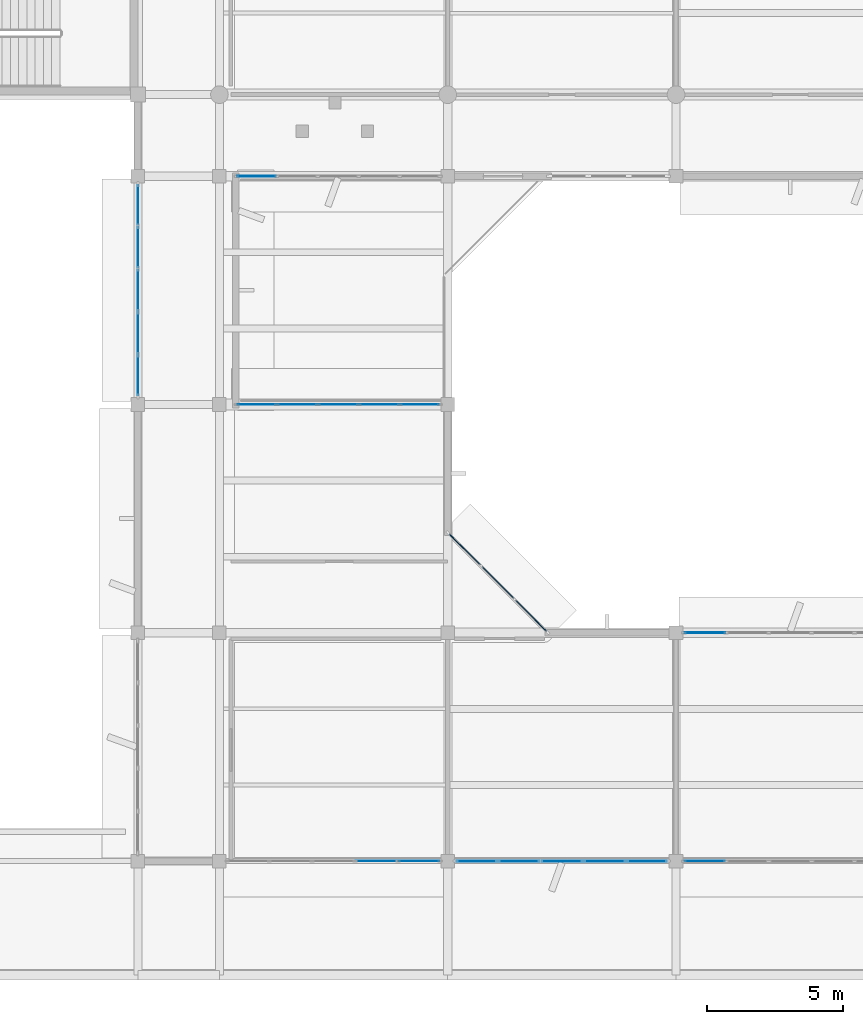
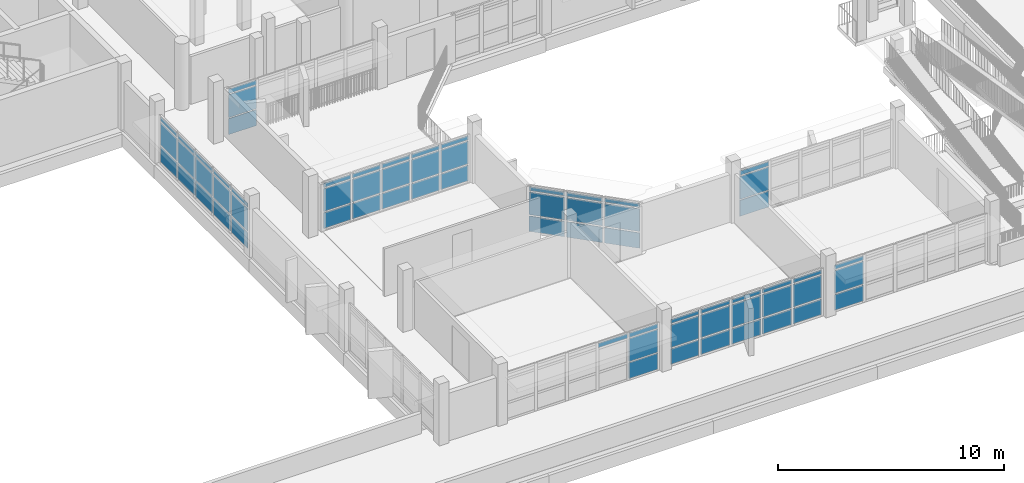
# One storey, part 48 of 92: 67 plates, 8 elements without a shape of their own.
"""IFC4 building model written with IfcOpenShell, lengths in metres."""

from ifc_helpers import new_model, si_unit, direction, frame, origin, origin_2d, place, context, subcontext, project, spatial, rectangle, extrude, material, layer, layer_set, type_object, element, aggregate, save


model = new_model("IFC4")

# Units and contexts
model_context = context("Model", 3, precision=1e-05, world=origin(), true_north=direction((0.0, 1.0)))
body_context = subcontext(model_context, "Body", "Model", "MODEL_VIEW")
ifc_project = project(units=[si_unit("LENGTHUNIT", "METRE"), si_unit("AREAUNIT", "SQUARE_METRE"), si_unit("VOLUMEUNIT", "CUBIC_METRE"), si_unit("PLANEANGLEUNIT", "RADIAN"), si_unit("MASSUNIT", "GRAM", prefix="KILO")], contexts=[model_context])

# Site, building, storey
site_placement = place(None, origin())
site = spatial("IfcSite", under=ifc_project, at=site_placement, CompositionType="ELEMENT")
building_placement = place(site_placement, origin())
building = spatial("IfcBuilding", under=site, at=building_placement, Name="Vanh Quang Courtyard School", CompositionType="ELEMENT")
storey_placement = place(building_placement, frame((0.0, 0.0, 7.800048828125)))
storey = spatial("IfcBuildingStorey", under=building, at=storey_placement, Name="L02", CompositionType="ELEMENT", Elevation=7.800048828125)

# Curtain wall, plates
ifc_material_1 = material(Name="Thermally broken aluminium unitised curtain wall", Category="aluminium")
curtain_wall_type_1 = type_object("IfcCurtainWallType", Name="CW-SYS-47", PredefinedType="NOTDEFINED", material=ifc_material_1)
curtain_wall_1_placement = place(storey_placement, origin())
curtain_wall_1 = element("IfcCurtainWall", 1, at=curtain_wall_1_placement, inside=storey, type_object=curtain_wall_type_1, Name="Curtain Wall CW-47 (L02)", PredefinedType="NOTDEFINED")
ifc_material_2 = material(Name="Low-E laminated double glazing", Category="glass")
ifc_layer_1 = layer(ifc_material_2, 0.028076171875)
ifc_layer_set_1 = layer_set([ifc_layer_1], Name="Low-E laminated double glazing")
plate_type_1 = type_object("IfcPlateType", Name="CW-PNL-28", PredefinedType="CURTAIN_PANEL", material=ifc_layer_set_1)
plate_1_placement = place(storey_placement, frame((78.769287109375, 29.39990234375, 0.06005859375), z_axis=(0.0, 0.0, 1.0), x_axis=(-1.0, 0.0, 0.0)))
plate_1 = element("IfcPlate", 2, at=plate_1_placement, type_object=plate_type_1, Name="CW-47 panel 5.1", PredefinedType="CURTAIN_PANEL", context=body_context, shape_type="SweptSolid", body=[
    extrude(rectangle(XDim=1.41845703125, YDim=0.028076171875, at=origin_2d()), origin(), (0.0, 0.0, 1.0), 0.860107421875),
])
plate_2_placement = place(storey_placement, frame((78.769287109375, 29.39990234375, 0.97998046875), z_axis=(0.0, 0.0, 1.0), x_axis=(-1.0, 0.0, 0.0)))
plate_2 = element("IfcPlate", 3, at=plate_2_placement, type_object=plate_type_1, Name="CW-47 panel 5.2", PredefinedType="CURTAIN_PANEL", context=body_context, shape_type="SweptSolid", body=[
    extrude(rectangle(XDim=1.41845703125, YDim=0.028076171875, at=origin_2d()), origin(), (0.0, 0.0, 1.0), 1.239990234375),
])
plate_3_placement = place(storey_placement, frame((78.769287109375, 29.39990234375, 2.27978515625), z_axis=(0.0, 0.0, 1.0), x_axis=(-1.0, 0.0, 0.0)))
plate_3 = element("IfcPlate", 4, at=plate_3_placement, type_object=plate_type_1, Name="CW-47 panel 5.3", PredefinedType="CURTAIN_PANEL", context=body_context, shape_type="SweptSolid", body=[
    extrude(rectangle(XDim=1.41845703125, YDim=0.028076171875, at=origin_2d()), origin(), (0.0, 0.0, 1.0), 0.239990234375),
])
aggregate(curtain_wall_1, [plate_1, plate_2, plate_3])

curtain_wall_type_2 = type_object("IfcCurtainWallType", Name="CW-SYS-37", PredefinedType="NOTDEFINED", material=ifc_material_1)
curtain_wall_2_placement = place(storey_placement, origin())
curtain_wall_2 = element("IfcCurtainWall", 5, at=curtain_wall_2_placement, inside=storey, type_object=curtain_wall_type_2, Name="Curtain Wall CW-37 (L02)", PredefinedType="NOTDEFINED")
plate_4_placement = place(storey_placement, frame((86.43017578125, 15.665771484375, 0.079833984375), z_axis=(0.0, 0.0, 1.0), x_axis=(0.707106781187, -0.707106781187, 0.0)))
plate_4 = element("IfcPlate", 6, at=plate_4_placement, type_object=plate_type_1, Name="CW-37 panel 1.1", PredefinedType="CURTAIN_PANEL", context=body_context, shape_type="SweptSolid", body=[
    extrude(rectangle(XDim=1.622314453125, YDim=0.028076171875, at=origin_2d()), origin(), (0.0, 0.0, 1.0), 0.830078125),
])
plate_5_placement = place(storey_placement, frame((86.43017578125, 15.665771484375, 0.98974609375), z_axis=(0.0, 0.0, 1.0), x_axis=(0.707106781187, -0.707106781187, 0.0)))
plate_5 = element("IfcPlate", 7, at=plate_5_placement, type_object=plate_type_1, Name="CW-37 panel 1.2", PredefinedType="CURTAIN_PANEL", context=body_context, shape_type="SweptSolid", body=[
    extrude(rectangle(XDim=1.622314453125, YDim=0.028076171875, at=origin_2d()), origin(), (0.0, 0.0, 1.0), 1.219970703125),
])
plate_6_placement = place(storey_placement, frame((86.43017578125, 15.665771484375, 2.2900390625), z_axis=(0.0, 0.0, 1.0), x_axis=(0.707106781187, -0.707106781187, 0.0)))
plate_6 = element("IfcPlate", 8, at=plate_6_placement, type_object=plate_type_1, Name="CW-37 panel 1.3", PredefinedType="CURTAIN_PANEL", context=body_context, shape_type="SweptSolid", body=[
    extrude(rectangle(XDim=1.622314453125, YDim=0.028076171875, at=origin_2d()), origin(), (0.0, 0.0, 1.0), 0.2099609375),
])
plate_7_placement = place(storey_placement, frame((87.64794921875, 14.447998046875, 0.079833984375), z_axis=(0.0, 0.0, 1.0), x_axis=(0.707106781187, -0.707106781187, 0.0)))
plate_7 = element("IfcPlate", 9, at=plate_7_placement, type_object=plate_type_1, Name="CW-37 panel 2.1", PredefinedType="CURTAIN_PANEL", context=body_context, shape_type="SweptSolid", body=[
    extrude(rectangle(XDim=1.662353515625, YDim=0.028076171875, at=origin_2d()), origin(), (0.0, 0.0, 1.0), 0.830078125),
])
plate_8_placement = place(storey_placement, frame((87.64794921875, 14.447998046875, 0.98974609375), z_axis=(0.0, 0.0, 1.0), x_axis=(0.707106781187, -0.707106781187, 0.0)))
plate_8 = element("IfcPlate", 10, at=plate_8_placement, type_object=plate_type_1, Name="CW-37 panel 2.2", PredefinedType="CURTAIN_PANEL", context=body_context, shape_type="SweptSolid", body=[
    extrude(rectangle(XDim=1.662353515625, YDim=0.028076171875, at=origin_2d()), origin(), (0.0, 0.0, 1.0), 1.219970703125),
])
plate_9_placement = place(storey_placement, frame((87.64794921875, 14.447998046875, 2.2900390625), z_axis=(0.0, 0.0, 1.0), x_axis=(0.707106781187, -0.707106781187, 0.0)))
plate_9 = element("IfcPlate", 11, at=plate_9_placement, type_object=plate_type_1, Name="CW-37 panel 2.3", PredefinedType="CURTAIN_PANEL", context=body_context, shape_type="SweptSolid", body=[
    extrude(rectangle(XDim=1.662353515625, YDim=0.028076171875, at=origin_2d()), origin(), (0.0, 0.0, 1.0), 0.2099609375),
])
plate_10_placement = place(storey_placement, frame((88.865966796875, 13.230224609375, 0.079833984375), z_axis=(0.0, 0.0, 1.0), x_axis=(0.707106781187, -0.707106781187, 0.0)))
plate_10 = element("IfcPlate", 12, at=plate_10_placement, type_object=plate_type_1, Name="CW-37 panel 3.1", PredefinedType="CURTAIN_PANEL", context=body_context, shape_type="SweptSolid", body=[
    extrude(rectangle(XDim=1.622314453125, YDim=0.028076171875, at=origin_2d()), origin(), (0.0, 0.0, 1.0), 0.830078125),
])
plate_11_placement = place(storey_placement, frame((88.865966796875, 13.230224609375, 0.98974609375), z_axis=(0.0, 0.0, 1.0), x_axis=(0.707106781187, -0.707106781187, 0.0)))
plate_11 = element("IfcPlate", 13, at=plate_11_placement, type_object=plate_type_1, Name="CW-37 panel 3.2", PredefinedType="CURTAIN_PANEL", context=body_context, shape_type="SweptSolid", body=[
    extrude(rectangle(XDim=1.622314453125, YDim=0.028076171875, at=origin_2d()), origin(), (0.0, 0.0, 1.0), 1.219970703125),
])
plate_12_placement = place(storey_placement, frame((88.865966796875, 13.230224609375, 2.2900390625), z_axis=(0.0, 0.0, 1.0), x_axis=(0.707106781187, -0.707106781187, 0.0)))
plate_12 = element("IfcPlate", 14, at=plate_12_placement, type_object=plate_type_1, Name="CW-37 panel 3.3", PredefinedType="CURTAIN_PANEL", context=body_context, shape_type="SweptSolid", body=[
    extrude(rectangle(XDim=1.622314453125, YDim=0.028076171875, at=origin_2d()), origin(), (0.0, 0.0, 1.0), 0.2099609375),
])
aggregate(curtain_wall_2, [plate_4, plate_5, plate_6, plate_7, plate_8, plate_9, plate_10, plate_11, plate_12])

curtain_wall_type_3 = type_object("IfcCurtainWallType", Name="CW-SYS-19", PredefinedType="NOTDEFINED", material=ifc_material_1)
curtain_wall_3_placement = place(storey_placement, origin())
curtain_wall_3 = element("IfcCurtainWall", 15, at=curtain_wall_3_placement, inside=storey, type_object=curtain_wall_type_3, Name="Curtain Wall CW-19 (L02)", PredefinedType="NOTDEFINED")
plate_13_placement = place(storey_placement, frame((95.263916015625, 4.199951171875, 0.06982421875), z_axis=(0.0, 0.0, 1.0), x_axis=(-1.0, 0.0, 0.0)))
plate_13 = element("IfcPlate", 16, at=plate_13_placement, type_object=plate_type_1, Name="CW-19 panel 5.1", PredefinedType="CURTAIN_PANEL", context=body_context, shape_type="SweptSolid", body=[
    extrude(rectangle(XDim=1.4716796875, YDim=0.028076171875, at=origin_2d()), origin(), (0.0, 0.0, 1.0), 0.844970703125),
])
plate_14_placement = place(storey_placement, frame((95.263916015625, 4.199951171875, 0.98486328125), z_axis=(0.0, 0.0, 1.0), x_axis=(-1.0, 0.0, 0.0)))
plate_14 = element("IfcPlate", 17, at=plate_14_placement, type_object=plate_type_1, Name="CW-19 panel 5.2", PredefinedType="CURTAIN_PANEL", context=body_context, shape_type="SweptSolid", body=[
    extrude(rectangle(XDim=1.4716796875, YDim=0.028076171875, at=origin_2d()), origin(), (0.0, 0.0, 1.0), 1.22998046875),
])
plate_15_placement = place(storey_placement, frame((95.263916015625, 4.199951171875, 2.284912109375), z_axis=(0.0, 0.0, 1.0), x_axis=(-1.0, 0.0, 0.0)))
plate_15 = element("IfcPlate", 18, at=plate_15_placement, type_object=plate_type_1, Name="CW-19 panel 5.3", PredefinedType="CURTAIN_PANEL", context=body_context, shape_type="SweptSolid", body=[
    extrude(rectangle(XDim=1.4716796875, YDim=0.028076171875, at=origin_2d()), origin(), (0.0, 0.0, 1.0), 0.22509765625),
])
aggregate(curtain_wall_3, [plate_13, plate_14, plate_15])

curtain_wall_4_placement = place(storey_placement, origin())
curtain_wall_4 = element("IfcCurtainWall", 19, at=curtain_wall_4_placement, inside=storey, type_object=curtain_wall_type_3, Name="Curtain Wall CW-19 (L02)", PredefinedType="NOTDEFINED")
plate_16_placement = place(storey_placement, frame((84.738525390625, 4.199951171875, 0.06005859375), z_axis=(0.0, 0.0, 1.0), x_axis=(-1.0, 0.0, 0.0)))
plate_16 = element("IfcPlate", 20, at=plate_16_placement, type_object=plate_type_1, Name="CW-19 panel 1.1", PredefinedType="CURTAIN_PANEL", context=body_context, shape_type="SweptSolid", body=[
    extrude(rectangle(XDim=1.48681640625, YDim=0.028076171875, at=origin_2d()), origin(), (0.0, 0.0, 1.0), 0.860107421875),
])
plate_17_placement = place(storey_placement, frame((84.738525390625, 4.199951171875, 0.97998046875), z_axis=(0.0, 0.0, 1.0), x_axis=(-1.0, 0.0, 0.0)))
plate_17 = element("IfcPlate", 21, at=plate_17_placement, type_object=plate_type_1, Name="CW-19 panel 1.2", PredefinedType="CURTAIN_PANEL", context=body_context, shape_type="SweptSolid", body=[
    extrude(rectangle(XDim=1.48681640625, YDim=0.028076171875, at=origin_2d()), origin(), (0.0, 0.0, 1.0), 1.239990234375),
])
plate_18_placement = place(storey_placement, frame((84.738525390625, 4.199951171875, 2.27978515625), z_axis=(0.0, 0.0, 1.0), x_axis=(-1.0, 0.0, 0.0)))
plate_18 = element("IfcPlate", 22, at=plate_18_placement, type_object=plate_type_1, Name="CW-19 panel 1.3", PredefinedType="CURTAIN_PANEL", context=body_context, shape_type="SweptSolid", body=[
    extrude(rectangle(XDim=1.48681640625, YDim=0.028076171875, at=origin_2d()), origin(), (0.0, 0.0, 1.0), 0.239990234375),
])
plate_19_placement = place(storey_placement, frame((83.1767578125, 4.199951171875, 2.27978515625), z_axis=(0.0, 0.0, 1.0), x_axis=(-1.0, 0.0, 0.0)))
plate_19 = element("IfcPlate", 23, at=plate_19_placement, type_object=plate_type_1, Name="CW-19 panel 2.3", PredefinedType="CURTAIN_PANEL", context=body_context, shape_type="SweptSolid", body=[
    extrude(rectangle(XDim=1.516845703125, YDim=0.028076171875, at=origin_2d()), origin(), (0.0, 0.0, 1.0), 0.239990234375),
])
aggregate(curtain_wall_4, [plate_16, plate_17, plate_18, plate_19])

curtain_wall_5_placement = place(storey_placement, origin())
curtain_wall_5 = element("IfcCurtainWall", 24, at=curtain_wall_5_placement, inside=storey, type_object=curtain_wall_type_3, Name="Curtain Wall CW-19 (L02)", PredefinedType="NOTDEFINED")
plate_20_placement = place(storey_placement, frame((74.39990234375, 22.06640625, 0.079833984375), z_axis=(0.0, 0.0, 1.0), x_axis=(0.0, 1.0, 0.0)))
plate_20 = element("IfcPlate", 25, at=plate_20_placement, type_object=plate_type_1, Name="CW-19 panel 1.1", PredefinedType="CURTAIN_PANEL", context=body_context, shape_type="SweptSolid", body=[
    extrude(rectangle(XDim=1.456787109375, YDim=0.028076171875, at=origin_2d()), origin(), (0.0, 0.0, 1.0), 0.830078125),
])
plate_21_placement = place(storey_placement, frame((74.39990234375, 22.06640625, 0.98974609375), z_axis=(0.0, 0.0, 1.0), x_axis=(0.0, 1.0, 0.0)))
plate_21 = element("IfcPlate", 26, at=plate_21_placement, type_object=plate_type_1, Name="CW-19 panel 1.2", PredefinedType="CURTAIN_PANEL", context=body_context, shape_type="SweptSolid", body=[
    extrude(rectangle(XDim=1.456787109375, YDim=0.028076171875, at=origin_2d()), origin(), (0.0, 0.0, 1.0), 1.219970703125),
])
plate_22_placement = place(storey_placement, frame((74.39990234375, 22.06640625, 2.2900390625), z_axis=(0.0, 0.0, 1.0), x_axis=(0.0, 1.0, 0.0)))
plate_22 = element("IfcPlate", 27, at=plate_22_placement, type_object=plate_type_1, Name="CW-19 panel 1.3", PredefinedType="CURTAIN_PANEL", context=body_context, shape_type="SweptSolid", body=[
    extrude(rectangle(XDim=1.456787109375, YDim=0.028076171875, at=origin_2d()), origin(), (0.0, 0.0, 1.0), 0.2099609375),
])
plate_23_placement = place(storey_placement, frame((74.39990234375, 23.623291015625, 0.079833984375), z_axis=(0.0, 0.0, 1.0), x_axis=(0.0, 1.0, 0.0)))
plate_23 = element("IfcPlate", 28, at=plate_23_placement, type_object=plate_type_1, Name="CW-19 panel 2.1", PredefinedType="CURTAIN_PANEL", context=body_context, shape_type="SweptSolid", body=[
    extrude(rectangle(XDim=1.496826171875, YDim=0.028076171875, at=origin_2d()), origin(), (0.0, 0.0, 1.0), 0.830078125),
])
plate_24_placement = place(storey_placement, frame((74.39990234375, 23.623291015625, 0.98974609375), z_axis=(0.0, 0.0, 1.0), x_axis=(0.0, 1.0, 0.0)))
plate_24 = element("IfcPlate", 29, at=plate_24_placement, type_object=plate_type_1, Name="CW-19 panel 2.2", PredefinedType="CURTAIN_PANEL", context=body_context, shape_type="SweptSolid", body=[
    extrude(rectangle(XDim=1.496826171875, YDim=0.028076171875, at=origin_2d()), origin(), (0.0, 0.0, 1.0), 1.219970703125),
])
plate_25_placement = place(storey_placement, frame((74.39990234375, 23.623291015625, 2.2900390625), z_axis=(0.0, 0.0, 1.0), x_axis=(0.0, 1.0, 0.0)))
plate_25 = element("IfcPlate", 30, at=plate_25_placement, type_object=plate_type_1, Name="CW-19 panel 2.3", PredefinedType="CURTAIN_PANEL", context=body_context, shape_type="SweptSolid", body=[
    extrude(rectangle(XDim=1.496826171875, YDim=0.028076171875, at=origin_2d()), origin(), (0.0, 0.0, 1.0), 0.2099609375),
])
plate_26_placement = place(storey_placement, frame((74.39990234375, 25.199951171875, 0.079833984375), z_axis=(0.0, 0.0, 1.0), x_axis=(0.0, 1.0, 0.0)))
plate_26 = element("IfcPlate", 31, at=plate_26_placement, type_object=plate_type_1, Name="CW-19 panel 3.1", PredefinedType="CURTAIN_PANEL", context=body_context, shape_type="SweptSolid", body=[
    extrude(rectangle(XDim=1.496826171875, YDim=0.028076171875, at=origin_2d()), origin(), (0.0, 0.0, 1.0), 0.830078125),
])
plate_27_placement = place(storey_placement, frame((74.39990234375, 25.199951171875, 0.98974609375), z_axis=(0.0, 0.0, 1.0), x_axis=(0.0, 1.0, 0.0)))
plate_27 = element("IfcPlate", 32, at=plate_27_placement, type_object=plate_type_1, Name="CW-19 panel 3.2", PredefinedType="CURTAIN_PANEL", context=body_context, shape_type="SweptSolid", body=[
    extrude(rectangle(XDim=1.496826171875, YDim=0.028076171875, at=origin_2d()), origin(), (0.0, 0.0, 1.0), 1.219970703125),
])
plate_28_placement = place(storey_placement, frame((74.39990234375, 25.199951171875, 2.2900390625), z_axis=(0.0, 0.0, 1.0), x_axis=(0.0, 1.0, 0.0)))
plate_28 = element("IfcPlate", 33, at=plate_28_placement, type_object=plate_type_1, Name="CW-19 panel 3.3", PredefinedType="CURTAIN_PANEL", context=body_context, shape_type="SweptSolid", body=[
    extrude(rectangle(XDim=1.496826171875, YDim=0.028076171875, at=origin_2d()), origin(), (0.0, 0.0, 1.0), 0.2099609375),
])
plate_29_placement = place(storey_placement, frame((74.39990234375, 26.77685546875, 0.079833984375), z_axis=(0.0, 0.0, 1.0), x_axis=(0.0, 1.0, 0.0)))
plate_29 = element("IfcPlate", 34, at=plate_29_placement, type_object=plate_type_1, Name="CW-19 panel 4.1", PredefinedType="CURTAIN_PANEL", context=body_context, shape_type="SweptSolid", body=[
    extrude(rectangle(XDim=1.496826171875, YDim=0.028076171875, at=origin_2d()), origin(), (0.0, 0.0, 1.0), 0.830078125),
])
plate_30_placement = place(storey_placement, frame((74.39990234375, 26.77685546875, 0.98974609375), z_axis=(0.0, 0.0, 1.0), x_axis=(0.0, 1.0, 0.0)))
plate_30 = element("IfcPlate", 35, at=plate_30_placement, type_object=plate_type_1, Name="CW-19 panel 4.2", PredefinedType="CURTAIN_PANEL", context=body_context, shape_type="SweptSolid", body=[
    extrude(rectangle(XDim=1.496826171875, YDim=0.028076171875, at=origin_2d()), origin(), (0.0, 0.0, 1.0), 1.219970703125),
])
plate_31_placement = place(storey_placement, frame((74.39990234375, 26.77685546875, 2.2900390625), z_axis=(0.0, 0.0, 1.0), x_axis=(0.0, 1.0, 0.0)))
plate_31 = element("IfcPlate", 36, at=plate_31_placement, type_object=plate_type_1, Name="CW-19 panel 4.3", PredefinedType="CURTAIN_PANEL", context=body_context, shape_type="SweptSolid", body=[
    extrude(rectangle(XDim=1.496826171875, YDim=0.028076171875, at=origin_2d()), origin(), (0.0, 0.0, 1.0), 0.2099609375),
])
plate_32_placement = place(storey_placement, frame((74.39990234375, 28.33349609375, 0.079833984375), z_axis=(0.0, 0.0, 1.0), x_axis=(0.0, 1.0, 0.0)))
plate_32 = element("IfcPlate", 37, at=plate_32_placement, type_object=plate_type_1, Name="CW-19 panel 5.1", PredefinedType="CURTAIN_PANEL", context=body_context, shape_type="SweptSolid", body=[
    extrude(rectangle(XDim=1.456787109375, YDim=0.028076171875, at=origin_2d()), origin(), (0.0, 0.0, 1.0), 0.830078125),
])
plate_33_placement = place(storey_placement, frame((74.39990234375, 28.33349609375, 0.98974609375), z_axis=(0.0, 0.0, 1.0), x_axis=(0.0, 1.0, 0.0)))
plate_33 = element("IfcPlate", 38, at=plate_33_placement, type_object=plate_type_1, Name="CW-19 panel 5.2", PredefinedType="CURTAIN_PANEL", context=body_context, shape_type="SweptSolid", body=[
    extrude(rectangle(XDim=1.456787109375, YDim=0.028076171875, at=origin_2d()), origin(), (0.0, 0.0, 1.0), 1.219970703125),
])
plate_34_placement = place(storey_placement, frame((74.39990234375, 28.33349609375, 2.2900390625), z_axis=(0.0, 0.0, 1.0), x_axis=(0.0, 1.0, 0.0)))
plate_34 = element("IfcPlate", 39, at=plate_34_placement, type_object=plate_type_1, Name="CW-19 panel 5.3", PredefinedType="CURTAIN_PANEL", context=body_context, shape_type="SweptSolid", body=[
    extrude(rectangle(XDim=1.456787109375, YDim=0.028076171875, at=origin_2d()), origin(), (0.0, 0.0, 1.0), 0.2099609375),
])
aggregate(curtain_wall_5, [plate_20, plate_21, plate_22, plate_23, plate_24, plate_25, plate_26, plate_27, plate_28, plate_29, plate_30, plate_31, plate_32, plate_33, plate_34])

curtain_wall_6_placement = place(storey_placement, origin())
curtain_wall_6 = element("IfcCurtainWall", 40, at=curtain_wall_6_placement, inside=storey, type_object=curtain_wall_type_1, Name="Curtain Wall CW-47 (L02)", PredefinedType="NOTDEFINED")
ifc_layer_2 = layer(ifc_material_2, 0.031982421875)
ifc_layer_set_2 = layer_set([ifc_layer_2], Name="Low-E laminated double glazing")
plate_type_2 = type_object("IfcPlateType", Name="CW-PNL-32", PredefinedType="CURTAIN_PANEL", material=ifc_layer_set_2)
plate_35_placement = place(storey_placement, frame((78.771728515625, 21.0, 0.06982421875), z_axis=(0.0, 0.0, 1.0), x_axis=(1.0, 0.0, 0.0)))
plate_35 = element("IfcPlate", 41, at=plate_35_placement, type_object=plate_type_2, Name="CW-47 panel 1.1", PredefinedType="CURTAIN_PANEL", context=body_context, shape_type="SweptSolid", body=[
    extrude(rectangle(XDim=1.4033203125, YDim=0.031982421875, at=origin_2d()), origin(), (0.0, 0.0, 1.0), 0.844970703125),
])
plate_36_placement = place(storey_placement, frame((78.771728515625, 21.0, 0.98486328125), z_axis=(0.0, 0.0, 1.0), x_axis=(1.0, 0.0, 0.0)))
plate_36 = element("IfcPlate", 42, at=plate_36_placement, type_object=plate_type_2, Name="CW-47 panel 1.2", PredefinedType="CURTAIN_PANEL", context=body_context, shape_type="SweptSolid", body=[
    extrude(rectangle(XDim=1.4033203125, YDim=0.031982421875, at=origin_2d()), origin(), (0.0, 0.0, 1.0), 1.22998046875),
])
plate_37_placement = place(storey_placement, frame((78.771728515625, 21.0, 2.284912109375), z_axis=(0.0, 0.0, 1.0), x_axis=(1.0, 0.0, 0.0)))
plate_37 = element("IfcPlate", 43, at=plate_37_placement, type_object=plate_type_2, Name="CW-47 panel 1.3", PredefinedType="CURTAIN_PANEL", context=body_context, shape_type="SweptSolid", body=[
    extrude(rectangle(XDim=1.4033203125, YDim=0.031982421875, at=origin_2d()), origin(), (0.0, 0.0, 1.0), 0.22509765625),
])
plate_38_placement = place(storey_placement, frame((80.2626953125, 21.0, 0.06982421875), z_axis=(0.0, 0.0, 1.0), x_axis=(1.0, 0.0, 0.0)))
plate_38 = element("IfcPlate", 44, at=plate_38_placement, type_object=plate_type_2, Name="CW-47 panel 2.1", PredefinedType="CURTAIN_PANEL", context=body_context, shape_type="SweptSolid", body=[
    extrude(rectangle(XDim=1.4384765625, YDim=0.031982421875, at=origin_2d()), origin(), (0.0, 0.0, 1.0), 0.844970703125),
])
plate_39_placement = place(storey_placement, frame((80.2626953125, 21.0, 0.98486328125), z_axis=(0.0, 0.0, 1.0), x_axis=(1.0, 0.0, 0.0)))
plate_39 = element("IfcPlate", 45, at=plate_39_placement, type_object=plate_type_2, Name="CW-47 panel 2.2", PredefinedType="CURTAIN_PANEL", context=body_context, shape_type="SweptSolid", body=[
    extrude(rectangle(XDim=1.4384765625, YDim=0.031982421875, at=origin_2d()), origin(), (0.0, 0.0, 1.0), 1.22998046875),
])
plate_40_placement = place(storey_placement, frame((80.2626953125, 21.0, 2.284912109375), z_axis=(0.0, 0.0, 1.0), x_axis=(1.0, 0.0, 0.0)))
plate_40 = element("IfcPlate", 46, at=plate_40_placement, type_object=plate_type_2, Name="CW-47 panel 2.3", PredefinedType="CURTAIN_PANEL", context=body_context, shape_type="SweptSolid", body=[
    extrude(rectangle(XDim=1.4384765625, YDim=0.031982421875, at=origin_2d()), origin(), (0.0, 0.0, 1.0), 0.22509765625),
])
plate_41_placement = place(storey_placement, frame((81.77099609375, 21.0, 0.06982421875), z_axis=(0.0, 0.0, 1.0), x_axis=(1.0, 0.0, 0.0)))
plate_41 = element("IfcPlate", 47, at=plate_41_placement, type_object=plate_type_2, Name="CW-47 panel 3.1", PredefinedType="CURTAIN_PANEL", context=body_context, shape_type="SweptSolid", body=[
    extrude(rectangle(XDim=1.4384765625, YDim=0.031982421875, at=origin_2d()), origin(), (0.0, 0.0, 1.0), 0.844970703125),
])
plate_42_placement = place(storey_placement, frame((81.77099609375, 21.0, 0.98486328125), z_axis=(0.0, 0.0, 1.0), x_axis=(1.0, 0.0, 0.0)))
plate_42 = element("IfcPlate", 48, at=plate_42_placement, type_object=plate_type_2, Name="CW-47 panel 3.2", PredefinedType="CURTAIN_PANEL", context=body_context, shape_type="SweptSolid", body=[
    extrude(rectangle(XDim=1.4384765625, YDim=0.031982421875, at=origin_2d()), origin(), (0.0, 0.0, 1.0), 1.22998046875),
])
plate_43_placement = place(storey_placement, frame((81.77099609375, 21.0, 2.284912109375), z_axis=(0.0, 0.0, 1.0), x_axis=(1.0, 0.0, 0.0)))
plate_43 = element("IfcPlate", 49, at=plate_43_placement, type_object=plate_type_2, Name="CW-47 panel 3.3", PredefinedType="CURTAIN_PANEL", context=body_context, shape_type="SweptSolid", body=[
    extrude(rectangle(XDim=1.4384765625, YDim=0.031982421875, at=origin_2d()), origin(), (0.0, 0.0, 1.0), 0.22509765625),
])
plate_44_placement = place(storey_placement, frame((83.279296875, 21.0, 0.06982421875), z_axis=(0.0, 0.0, 1.0), x_axis=(1.0, 0.0, 0.0)))
plate_44 = element("IfcPlate", 50, at=plate_44_placement, type_object=plate_type_2, Name="CW-47 panel 4.1", PredefinedType="CURTAIN_PANEL", context=body_context, shape_type="SweptSolid", body=[
    extrude(rectangle(XDim=1.4384765625, YDim=0.031982421875, at=origin_2d()), origin(), (0.0, 0.0, 1.0), 0.844970703125),
])
plate_45_placement = place(storey_placement, frame((83.279296875, 21.0, 0.98486328125), z_axis=(0.0, 0.0, 1.0), x_axis=(1.0, 0.0, 0.0)))
plate_45 = element("IfcPlate", 51, at=plate_45_placement, type_object=plate_type_2, Name="CW-47 panel 4.2", PredefinedType="CURTAIN_PANEL", context=body_context, shape_type="SweptSolid", body=[
    extrude(rectangle(XDim=1.4384765625, YDim=0.031982421875, at=origin_2d()), origin(), (0.0, 0.0, 1.0), 1.22998046875),
])
plate_46_placement = place(storey_placement, frame((83.279296875, 21.0, 2.284912109375), z_axis=(0.0, 0.0, 1.0), x_axis=(1.0, 0.0, 0.0)))
plate_46 = element("IfcPlate", 52, at=plate_46_placement, type_object=plate_type_2, Name="CW-47 panel 4.3", PredefinedType="CURTAIN_PANEL", context=body_context, shape_type="SweptSolid", body=[
    extrude(rectangle(XDim=1.4384765625, YDim=0.031982421875, at=origin_2d()), origin(), (0.0, 0.0, 1.0), 0.22509765625),
])
plate_47_placement = place(storey_placement, frame((84.770263671875, 21.0, 0.06982421875), z_axis=(0.0, 0.0, 1.0), x_axis=(1.0, 0.0, 0.0)))
plate_47 = element("IfcPlate", 53, at=plate_47_placement, type_object=plate_type_2, Name="CW-47 panel 5.1", PredefinedType="CURTAIN_PANEL", context=body_context, shape_type="SweptSolid", body=[
    extrude(rectangle(XDim=1.4033203125, YDim=0.031982421875, at=origin_2d()), origin(), (0.0, 0.0, 1.0), 0.844970703125),
])
plate_48_placement = place(storey_placement, frame((84.770263671875, 21.0, 0.98486328125), z_axis=(0.0, 0.0, 1.0), x_axis=(1.0, 0.0, 0.0)))
plate_48 = element("IfcPlate", 54, at=plate_48_placement, type_object=plate_type_2, Name="CW-47 panel 5.2", PredefinedType="CURTAIN_PANEL", context=body_context, shape_type="SweptSolid", body=[
    extrude(rectangle(XDim=1.4033203125, YDim=0.031982421875, at=origin_2d()), origin(), (0.0, 0.0, 1.0), 1.22998046875),
])
plate_49_placement = place(storey_placement, frame((84.770263671875, 21.0, 2.284912109375), z_axis=(0.0, 0.0, 1.0), x_axis=(1.0, 0.0, 0.0)))
plate_49 = element("IfcPlate", 55, at=plate_49_placement, type_object=plate_type_2, Name="CW-47 panel 5.3", PredefinedType="CURTAIN_PANEL", context=body_context, shape_type="SweptSolid", body=[
    extrude(rectangle(XDim=1.4033203125, YDim=0.031982421875, at=origin_2d()), origin(), (0.0, 0.0, 1.0), 0.22509765625),
])
aggregate(curtain_wall_6, [plate_35, plate_36, plate_37, plate_38, plate_39, plate_40, plate_41, plate_42, plate_43, plate_44, plate_45, plate_46, plate_47, plate_48, plate_49])

curtain_wall_7_placement = place(storey_placement, origin())
curtain_wall_7 = element("IfcCurtainWall", 56, at=curtain_wall_7_placement, inside=storey, type_object=curtain_wall_type_3, Name="Curtain Wall CW-19 (L02)", PredefinedType="NOTDEFINED")
plate_50_placement = place(storey_placement, frame((95.261474609375, 12.60009765625, 0.06005859375), z_axis=(0.0, 0.0, 1.0), x_axis=(1.0, 0.0, 0.0)))
plate_50 = element("IfcPlate", 57, at=plate_50_placement, type_object=plate_type_2, Name="CW-19 panel 1.1", PredefinedType="CURTAIN_PANEL", context=body_context, shape_type="SweptSolid", body=[
    extrude(rectangle(XDim=1.48681640625, YDim=0.031982421875, at=origin_2d()), origin(), (0.0, 0.0, 1.0), 0.860107421875),
])
plate_51_placement = place(storey_placement, frame((95.261474609375, 12.60009765625, 0.97998046875), z_axis=(0.0, 0.0, 1.0), x_axis=(1.0, 0.0, 0.0)))
plate_51 = element("IfcPlate", 58, at=plate_51_placement, type_object=plate_type_2, Name="CW-19 panel 1.2", PredefinedType="CURTAIN_PANEL", context=body_context, shape_type="SweptSolid", body=[
    extrude(rectangle(XDim=1.48681640625, YDim=0.031982421875, at=origin_2d()), origin(), (0.0, 0.0, 1.0), 1.239990234375),
])
plate_52_placement = place(storey_placement, frame((95.261474609375, 12.60009765625, 2.27978515625), z_axis=(0.0, 0.0, 1.0), x_axis=(1.0, 0.0, 0.0)))
plate_52 = element("IfcPlate", 59, at=plate_52_placement, type_object=plate_type_2, Name="CW-19 panel 1.3", PredefinedType="CURTAIN_PANEL", context=body_context, shape_type="SweptSolid", body=[
    extrude(rectangle(XDim=1.48681640625, YDim=0.031982421875, at=origin_2d()), origin(), (0.0, 0.0, 1.0), 0.239990234375),
])
aggregate(curtain_wall_7, [plate_50, plate_51, plate_52])

curtain_wall_8_placement = place(storey_placement, origin())
curtain_wall_8 = element("IfcCurtainWall", 60, at=curtain_wall_8_placement, inside=storey, type_object=curtain_wall_type_3, Name="Curtain Wall CW-19 (L02)", PredefinedType="NOTDEFINED")
plate_53_placement = place(storey_placement, frame((93.133544921875, 4.199951171875, 0.079833984375), z_axis=(0.0, 0.0, 1.0), x_axis=(-1.0, 0.0, 0.0)))
plate_53 = element("IfcPlate", 61, at=plate_53_placement, type_object=plate_type_2, Name="CW-19 panel 1.1", PredefinedType="CURTAIN_PANEL", context=body_context, shape_type="SweptSolid", body=[
    extrude(rectangle(XDim=1.456787109375, YDim=0.031982421875, at=origin_2d()), origin(), (0.0, 0.0, 1.0), 0.830078125),
])
plate_54_placement = place(storey_placement, frame((93.133544921875, 4.199951171875, 0.98974609375), z_axis=(0.0, 0.0, 1.0), x_axis=(-1.0, 0.0, 0.0)))
plate_54 = element("IfcPlate", 62, at=plate_54_placement, type_object=plate_type_2, Name="CW-19 panel 1.2", PredefinedType="CURTAIN_PANEL", context=body_context, shape_type="SweptSolid", body=[
    extrude(rectangle(XDim=1.456787109375, YDim=0.031982421875, at=origin_2d()), origin(), (0.0, 0.0, 1.0), 1.219970703125),
])
plate_55_placement = place(storey_placement, frame((93.133544921875, 4.199951171875, 2.2900390625), z_axis=(0.0, 0.0, 1.0), x_axis=(-1.0, 0.0, 0.0)))
plate_55 = element("IfcPlate", 63, at=plate_55_placement, type_object=plate_type_2, Name="CW-19 panel 1.3", PredefinedType="CURTAIN_PANEL", context=body_context, shape_type="SweptSolid", body=[
    extrude(rectangle(XDim=1.456787109375, YDim=0.031982421875, at=origin_2d()), origin(), (0.0, 0.0, 1.0), 0.2099609375),
])
plate_56_placement = place(storey_placement, frame((91.576904296875, 4.199951171875, 0.079833984375), z_axis=(0.0, 0.0, 1.0), x_axis=(-1.0, 0.0, 0.0)))
plate_56 = element("IfcPlate", 64, at=plate_56_placement, type_object=plate_type_2, Name="CW-19 panel 2.1", PredefinedType="CURTAIN_PANEL", context=body_context, shape_type="SweptSolid", body=[
    extrude(rectangle(XDim=1.496826171875, YDim=0.031982421875, at=origin_2d()), origin(), (0.0, 0.0, 1.0), 0.830078125),
])
plate_57_placement = place(storey_placement, frame((91.576904296875, 4.199951171875, 0.98974609375), z_axis=(0.0, 0.0, 1.0), x_axis=(-1.0, 0.0, 0.0)))
plate_57 = element("IfcPlate", 65, at=plate_57_placement, type_object=plate_type_2, Name="CW-19 panel 2.2", PredefinedType="CURTAIN_PANEL", context=body_context, shape_type="SweptSolid", body=[
    extrude(rectangle(XDim=1.496826171875, YDim=0.031982421875, at=origin_2d()), origin(), (0.0, 0.0, 1.0), 1.219970703125),
])
plate_58_placement = place(storey_placement, frame((91.576904296875, 4.199951171875, 2.2900390625), z_axis=(0.0, 0.0, 1.0), x_axis=(-1.0, 0.0, 0.0)))
plate_58 = element("IfcPlate", 66, at=plate_58_placement, type_object=plate_type_2, Name="CW-19 panel 2.3", PredefinedType="CURTAIN_PANEL", context=body_context, shape_type="SweptSolid", body=[
    extrude(rectangle(XDim=1.496826171875, YDim=0.031982421875, at=origin_2d()), origin(), (0.0, 0.0, 1.0), 0.2099609375),
])
plate_59_placement = place(storey_placement, frame((90.0, 4.199951171875, 0.079833984375), z_axis=(0.0, 0.0, 1.0), x_axis=(-1.0, 0.0, 0.0)))
plate_59 = element("IfcPlate", 67, at=plate_59_placement, type_object=plate_type_2, Name="CW-19 panel 3.1", PredefinedType="CURTAIN_PANEL", context=body_context, shape_type="SweptSolid", body=[
    extrude(rectangle(XDim=1.496826171875, YDim=0.031982421875, at=origin_2d()), origin(), (0.0, 0.0, 1.0), 0.830078125),
])
plate_60_placement = place(storey_placement, frame((90.0, 4.199951171875, 0.98974609375), z_axis=(0.0, 0.0, 1.0), x_axis=(-1.0, 0.0, 0.0)))
plate_60 = element("IfcPlate", 68, at=plate_60_placement, type_object=plate_type_2, Name="CW-19 panel 3.2", PredefinedType="CURTAIN_PANEL", context=body_context, shape_type="SweptSolid", body=[
    extrude(rectangle(XDim=1.496826171875, YDim=0.031982421875, at=origin_2d()), origin(), (0.0, 0.0, 1.0), 1.219970703125),
])
plate_61_placement = place(storey_placement, frame((90.0, 4.199951171875, 2.2900390625), z_axis=(0.0, 0.0, 1.0), x_axis=(-1.0, 0.0, 0.0)))
plate_61 = element("IfcPlate", 69, at=plate_61_placement, type_object=plate_type_2, Name="CW-19 panel 3.3", PredefinedType="CURTAIN_PANEL", context=body_context, shape_type="SweptSolid", body=[
    extrude(rectangle(XDim=1.496826171875, YDim=0.031982421875, at=origin_2d()), origin(), (0.0, 0.0, 1.0), 0.2099609375),
])
plate_62_placement = place(storey_placement, frame((88.423095703125, 4.199951171875, 0.079833984375), z_axis=(0.0, 0.0, 1.0), x_axis=(-1.0, 0.0, 0.0)))
plate_62 = element("IfcPlate", 70, at=plate_62_placement, type_object=plate_type_2, Name="CW-19 panel 4.1", PredefinedType="CURTAIN_PANEL", context=body_context, shape_type="SweptSolid", body=[
    extrude(rectangle(XDim=1.496826171875, YDim=0.031982421875, at=origin_2d()), origin(), (0.0, 0.0, 1.0), 0.830078125),
])
plate_63_placement = place(storey_placement, frame((88.423095703125, 4.199951171875, 0.98974609375), z_axis=(0.0, 0.0, 1.0), x_axis=(-1.0, 0.0, 0.0)))
plate_63 = element("IfcPlate", 71, at=plate_63_placement, type_object=plate_type_2, Name="CW-19 panel 4.2", PredefinedType="CURTAIN_PANEL", context=body_context, shape_type="SweptSolid", body=[
    extrude(rectangle(XDim=1.496826171875, YDim=0.031982421875, at=origin_2d()), origin(), (0.0, 0.0, 1.0), 1.219970703125),
])
plate_64_placement = place(storey_placement, frame((88.423095703125, 4.199951171875, 2.2900390625), z_axis=(0.0, 0.0, 1.0), x_axis=(-1.0, 0.0, 0.0)))
plate_64 = element("IfcPlate", 72, at=plate_64_placement, type_object=plate_type_2, Name="CW-19 panel 4.3", PredefinedType="CURTAIN_PANEL", context=body_context, shape_type="SweptSolid", body=[
    extrude(rectangle(XDim=1.496826171875, YDim=0.031982421875, at=origin_2d()), origin(), (0.0, 0.0, 1.0), 0.2099609375),
])
plate_65_placement = place(storey_placement, frame((86.866455078125, 4.199951171875, 0.079833984375), z_axis=(0.0, 0.0, 1.0), x_axis=(-1.0, 0.0, 0.0)))
plate_65 = element("IfcPlate", 73, at=plate_65_placement, type_object=plate_type_2, Name="CW-19 panel 5.1", PredefinedType="CURTAIN_PANEL", context=body_context, shape_type="SweptSolid", body=[
    extrude(rectangle(XDim=1.456787109375, YDim=0.031982421875, at=origin_2d()), origin(), (0.0, 0.0, 1.0), 0.830078125),
])
plate_66_placement = place(storey_placement, frame((86.866455078125, 4.199951171875, 0.98974609375), z_axis=(0.0, 0.0, 1.0), x_axis=(-1.0, 0.0, 0.0)))
plate_66 = element("IfcPlate", 74, at=plate_66_placement, type_object=plate_type_2, Name="CW-19 panel 5.2", PredefinedType="CURTAIN_PANEL", context=body_context, shape_type="SweptSolid", body=[
    extrude(rectangle(XDim=1.456787109375, YDim=0.031982421875, at=origin_2d()), origin(), (0.0, 0.0, 1.0), 1.219970703125),
])
plate_67_placement = place(storey_placement, frame((86.866455078125, 4.199951171875, 2.2900390625), z_axis=(0.0, 0.0, 1.0), x_axis=(-1.0, 0.0, 0.0)))
plate_67 = element("IfcPlate", 75, at=plate_67_placement, type_object=plate_type_2, Name="CW-19 panel 5.3", PredefinedType="CURTAIN_PANEL", context=body_context, shape_type="SweptSolid", body=[
    extrude(rectangle(XDim=1.456787109375, YDim=0.031982421875, at=origin_2d()), origin(), (0.0, 0.0, 1.0), 0.2099609375),
])
aggregate(curtain_wall_8, [plate_53, plate_54, plate_55, plate_56, plate_57, plate_58, plate_59, plate_60, plate_61, plate_62, plate_63, plate_64, plate_65, plate_66, plate_67])

save(model, "model.ifc")
